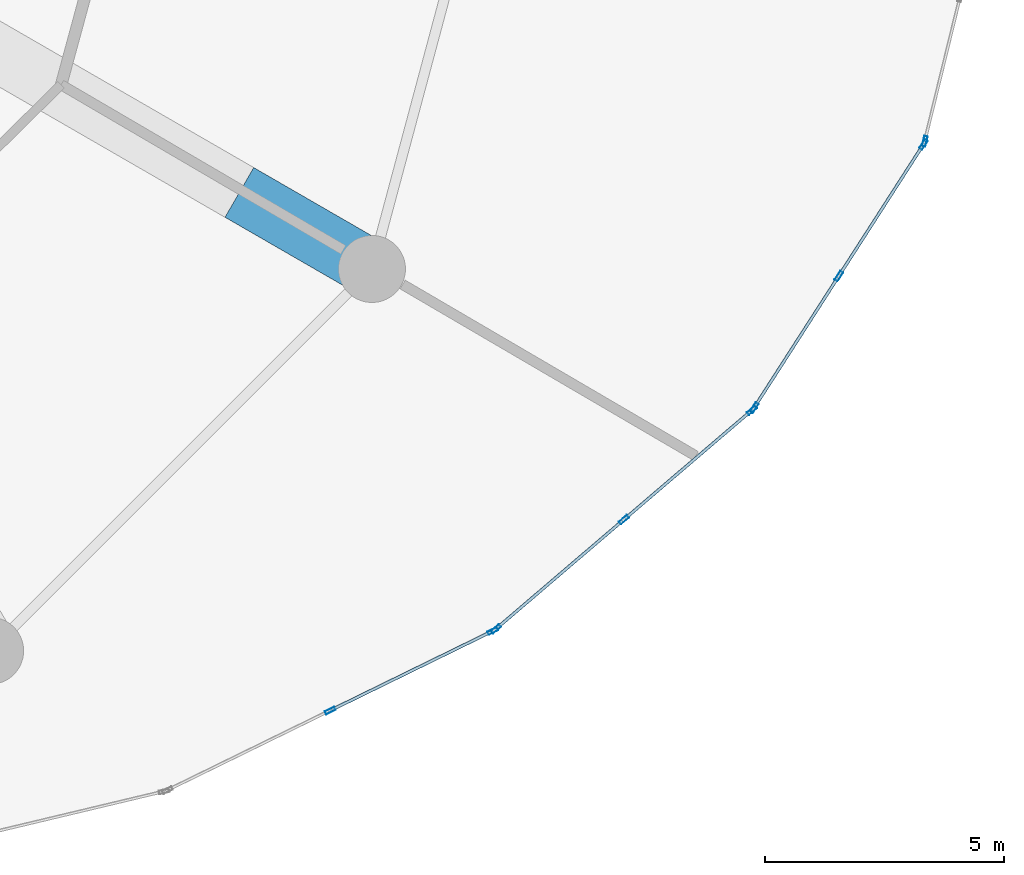
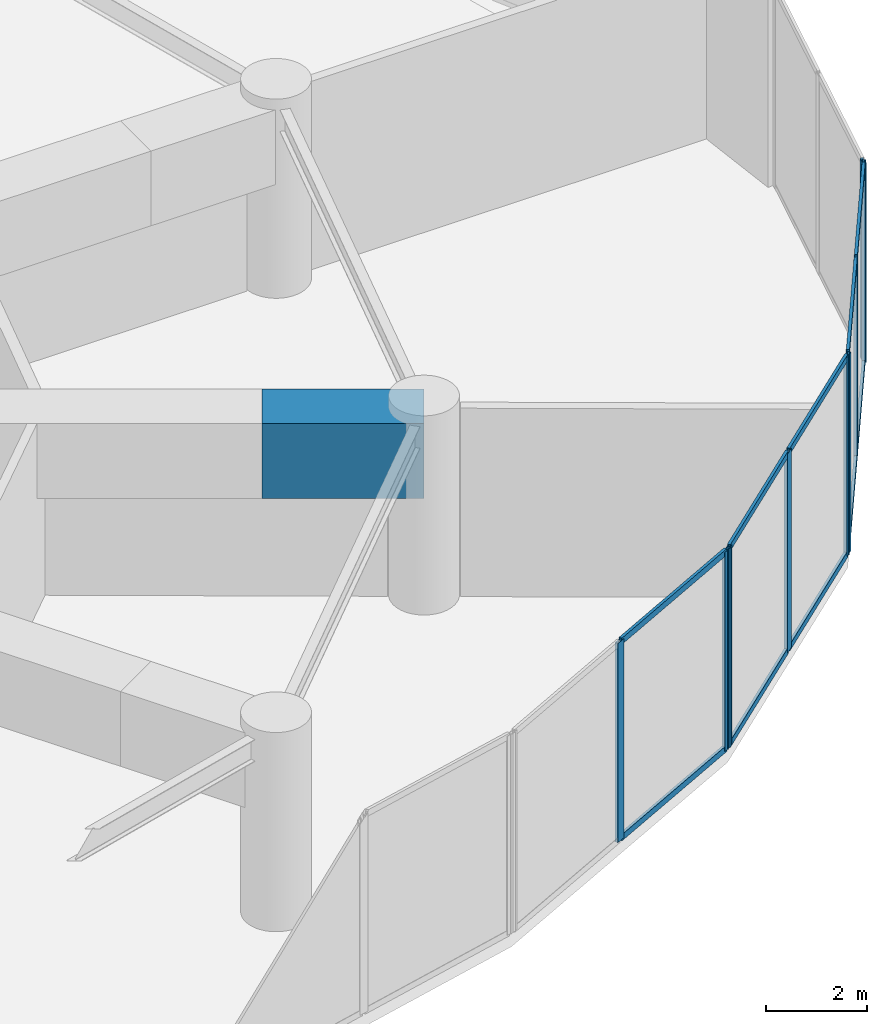
# One storey, part 11 of 27: 19 members, 1 beam, 4 elements without a shape of their own.
"""IFC4 building model written with IfcOpenShell, lengths in metres."""

from ifc_helpers import new_model, si_unit, direction, frame, origin, origin_2d, place, context, subcontext, project, spatial, rectangle, hollow_rectangle, extrude, source, transform, mapped, material, layer, layer_set, material_profile, profile_set, type_object, element, aggregate, save


model = new_model("IFC4")

# Units and contexts
model_context = context("Model", 3, precision=1e-05, world=origin(), true_north=direction((0.0, 1.0)))
body_context = subcontext(model_context, "Body", "Model", "MODEL_VIEW")
ifc_project = project(units=[si_unit("LENGTHUNIT", "METRE"), si_unit("AREAUNIT", "SQUARE_METRE"), si_unit("VOLUMEUNIT", "CUBIC_METRE"), si_unit("PLANEANGLEUNIT", "RADIAN"), si_unit("MASSUNIT", "GRAM", prefix="KILO")], contexts=[model_context])

# Site, building, storey
site_placement = place(None, origin())
site = spatial("IfcSite", under=ifc_project, at=site_placement, CompositionType="ELEMENT")
building_placement = place(site_placement, origin())
building = spatial("IfcBuilding", under=site, at=building_placement, Name="Solvirekh Grand Hotel", CompositionType="ELEMENT")
storey_placement = place(building_placement, frame((0.0, 0.0, 23.60009765625)))
storey = spatial("IfcBuildingStorey", under=building, at=storey_placement, Name="L04", CompositionType="ELEMENT", Elevation=23.60009765625)

# Beam
ifc_material_1 = material(Name="Concrete C60/75", Category="concrete")
ifc_material_profile_1 = material_profile(ifc_material_1, rectangle(XDim=1.199951171875, YDim=1.800048828125, at=origin_2d()), Name="RC GIRDER 1200X1800")
ifc_profile_set_1 = profile_set([ifc_material_profile_1], Name="Concrete C60/75")
beam_type = type_object("IfcBeamType", Name="TransferGirder_RC1800", PredefinedType="USERDEFINED", material=ifc_profile_set_1)
beam_placement = place(storey_placement, frame((16.10791015625, -9.300048828125, 3.639892578125), z_axis=(0.866022944154, -0.50000426018, 0.0), x_axis=(0.50000426018, 0.866022944154, 0.0)))
element("IfcBeam", 1, at=beam_placement, inside=storey, type_object=beam_type, Name="L04 outer radial transfer girder 12B", ObjectType="TRANSFER GIRDER", PredefinedType="USERDEFINED", context=body_context, shape_type="SweptSolid", body=[
    extrude(rectangle(XDim=1.199951171875, YDim=1.800048828125, at=origin_2d()), origin(), (0.0, 0.0, 1.0), 3.19970703125),
])

# Curtain wall, members
ifc_material_2 = material(Name="Anodized Bronze Aluminium 6063-T6", Category="aluminium")
ifc_layer = layer(ifc_material_2, 0.219970703125)
ifc_layer_set = layer_set([ifc_layer], Name="Anodized Bronze Aluminium 6063-T6")
curtain_wall_type = type_object("IfcCurtainWallType", Name="CW_Sys1_PodiumBronzeUnitised", PredefinedType="NOTDEFINED", material=ifc_layer_set)
curtain_wall_1_placement = place(storey_placement, origin())
curtain_wall_1 = element("IfcCurtainWall", 2, at=curtain_wall_1_placement, inside=storey, type_object=curtain_wall_type, Name="L04 unitised bronze-glass curtain wall CW-L04-C23", PredefinedType="NOTDEFINED")
ifc_material_profile_2 = material_profile(ifc_material_2, hollow_rectangle(XDim=0.06494140625, YDim=0.14990234375, WallThickness=0.0048828125, at=origin_2d()), Name="ALU RHS 150X65X5")
ifc_profile_set_2 = profile_set([ifc_material_profile_2], Name="Anodized Bronze Aluminium 6063-T6")
member_type_1 = type_object("IfcMemberType", Name="CWTransom_Sys1", PredefinedType="USERDEFINED", material=ifc_profile_set_2)
shared_shape_1 = source(origin(), body_context, "Body", "SweptSolid", [
    extrude(hollow_rectangle(XDim=0.06494140625, YDim=0.14990234375, WallThickness=0.0048828125, at=origin_2d()), origin(), (0.0, 0.0, 1.0), 3.193603515625),
])
member_1_placement = place(storey_placement, frame((28.65576171875, -11.016845703125, 0.032470703125), z_axis=(0.541024167028, 0.841007045566, 0.0), x_axis=(-0.841007045566, 0.541024167028, 0.0)))
member_1 = element("IfcMember", 3, at=member_1_placement, type_object=member_type_1, Name="U01 transom 2.1", ObjectType="TRANSOM", PredefinedType="USERDEFINED", context=body_context, shape_type="MappedRepresentation", body=[
    mapped(shared_shape_1, transform((0.0, 0.0, 0.0), x_axis=(1.0, 0.0, 0.0), y_axis=(0.0, 1.0, 0.0), z_axis=(0.0, 0.0, 1.0), scale=1.0)),
])
member_2_placement = place(storey_placement, frame((28.65576171875, -11.016845703125, 4.767333984375), z_axis=(0.541024167028, 0.841007045566, 0.0), x_axis=(-0.841007045566, 0.541024167028, 0.0)))
member_2 = element("IfcMember", 4, at=member_2_placement, type_object=member_type_1, Name="U01 transom 2.2", ObjectType="TRANSOM", PredefinedType="USERDEFINED", context=body_context, shape_type="MappedRepresentation", body=[
    mapped(shared_shape_1, transform((0.0, 0.0, 0.0), x_axis=(1.0, 0.0, 0.0), y_axis=(0.0, 1.0, 0.0), z_axis=(0.0, 0.0, 1.0), scale=1.0)),
])

curtain_wall_2_placement = place(storey_placement, origin())
curtain_wall_2 = element("IfcCurtainWall", 5, at=curtain_wall_2_placement, inside=storey, type_object=curtain_wall_type, Name="L04 unitised bronze-glass curtain wall CW-L04-C22", PredefinedType="NOTDEFINED")
shared_shape_2 = source(origin(), body_context, "Body", "SweptSolid", [
    extrude(hollow_rectangle(XDim=0.06494140625, YDim=0.14990234375, WallThickness=0.0048828125, at=origin_2d()), origin(), (0.0, 0.0, 1.0), 3.443115234375),
])
member_3_placement = place(storey_placement, frame((21.4970703125, -18.399169921875, 0.032470703125), z_axis=(0.760346684447, 0.649517451229, 0.0), x_axis=(-0.649517451229, 0.760346684447, 0.0)))
member_3 = element("IfcMember", 6, at=member_3_placement, type_object=member_type_1, Name="U01 transom 1.1", ObjectType="TRANSOM", PredefinedType="USERDEFINED", context=body_context, shape_type="MappedRepresentation", body=[
    mapped(shared_shape_2, transform((0.0, 0.0, 0.0), x_axis=(1.0, 0.0, 0.0), y_axis=(0.0, 1.0, 0.0), z_axis=(0.0, 0.0, 1.0), scale=1.0)),
])
member_4_placement = place(storey_placement, frame((21.4970703125, -18.399169921875, 4.767333984375), z_axis=(0.760346684447, 0.649517451229, 0.0), x_axis=(-0.649517451229, 0.760346684447, 0.0)))
member_4 = element("IfcMember", 7, at=member_4_placement, type_object=member_type_1, Name="U01 transom 1.2", ObjectType="TRANSOM", PredefinedType="USERDEFINED", context=body_context, shape_type="MappedRepresentation", body=[
    mapped(shared_shape_2, transform((0.0, 0.0, 0.0), x_axis=(1.0, 0.0, 0.0), y_axis=(0.0, 1.0, 0.0), z_axis=(0.0, 0.0, 1.0), scale=1.0)),
])
member_5_placement = place(storey_placement, frame((24.172119140625, -16.1142578125, 0.032470703125), z_axis=(0.760311666431, 0.649558442243, 0.0), x_axis=(-0.649558442243, 0.760311666431, 0.0)))
member_5 = element("IfcMember", 8, at=member_5_placement, type_object=member_type_1, Name="U01 transom 2.1", ObjectType="TRANSOM", PredefinedType="USERDEFINED", context=body_context, shape_type="MappedRepresentation", body=[
    mapped(shared_shape_2, transform((0.0, 0.0, 0.0), x_axis=(1.0, 0.0, 0.0), y_axis=(0.0, 1.0, 0.0), z_axis=(0.0, 0.0, 1.0), scale=1.0)),
])
member_6_placement = place(storey_placement, frame((24.172119140625, -16.1142578125, 4.767333984375), z_axis=(0.760311666431, 0.649558442243, 0.0), x_axis=(-0.649558442243, 0.760311666431, 0.0)))
member_6 = element("IfcMember", 9, at=member_6_placement, type_object=member_type_1, Name="U01 transom 2.2", ObjectType="TRANSOM", PredefinedType="USERDEFINED", context=body_context, shape_type="MappedRepresentation", body=[
    mapped(shared_shape_2, transform((0.0, 0.0, 0.0), x_axis=(1.0, 0.0, 0.0), y_axis=(0.0, 1.0, 0.0), z_axis=(0.0, 0.0, 1.0), scale=1.0)),
])

# Member
shared_shape_3 = source(origin(), body_context, "Body", "SweptSolid", [
    extrude(hollow_rectangle(XDim=0.06494140625, YDim=0.14990234375, WallThickness=0.0048828125, at=origin_2d()), origin(), (0.0, 0.0, 1.0), 3.193359375),
])
member_7_placement = place(storey_placement, frame((26.8876953125, -13.765869140625, 0.032470703125), z_axis=(0.540970092382, 0.841041829607, 0.0), x_axis=(-0.841041829607, 0.540970092382, 0.0)))
member_7 = element("IfcMember", 10, at=member_7_placement, type_object=member_type_1, Name="U01 transom 1.1", ObjectType="TRANSOM", PredefinedType="USERDEFINED", context=body_context, shape_type="MappedRepresentation", body=[
    mapped(shared_shape_3, transform((0.0, 0.0, 0.0), x_axis=(1.0, 0.0, 0.0), y_axis=(0.0, 1.0, 0.0), z_axis=(0.0, 0.0, 1.0), scale=1.0)),
])

member_8_placement = place(storey_placement, frame((26.8876953125, -13.765869140625, 4.767333984375), z_axis=(0.540970092382, 0.841041829607, 0.0), x_axis=(-0.841041829607, 0.540970092382, 0.0)))
member_8 = element("IfcMember", 11, at=member_8_placement, type_object=member_type_1, Name="U01 transom 1.2", ObjectType="TRANSOM", PredefinedType="USERDEFINED", context=body_context, shape_type="MappedRepresentation", body=[
    mapped(shared_shape_3, transform((0.0, 0.0, 0.0), x_axis=(1.0, 0.0, 0.0), y_axis=(0.0, 1.0, 0.0), z_axis=(0.0, 0.0, 1.0), scale=1.0)),
])

# Curtain wall, members
curtain_wall_3_placement = place(storey_placement, origin())
curtain_wall_3 = element("IfcCurtainWall", 12, at=curtain_wall_3_placement, inside=storey, type_object=curtain_wall_type, Name="L04 unitised bronze-glass curtain wall CW-L04-C21", PredefinedType="NOTDEFINED")
ifc_material_profile_3 = material_profile(ifc_material_2, hollow_rectangle(XDim=0.074951171875, YDim=0.219970703125, WallThickness=0.006103515625, at=origin_2d()), Name="ALU RHS 220X75X6")
ifc_profile_set_3 = profile_set([ifc_material_profile_3], Name="Anodized Bronze Aluminium 6063-T6")
member_type_2 = type_object("IfcMemberType", Name="CWMullion_Sys1", PredefinedType="MULLION", material=ifc_profile_set_3)
shared_shape_4 = source(origin(), body_context, "Body", "SweptSolid", [
    extrude(hollow_rectangle(XDim=0.074951171875, YDim=0.219970703125, WallThickness=0.006103515625, at=origin_2d()), origin(), (0.0, 0.0, 1.0), 4.7998046875),
])
member_9_placement = place(storey_placement, frame((18.006103515625, -20.12841796875, 0.0), z_axis=(0.0, 0.0, 1.0), x_axis=(-0.439559598928, 0.898213426192, 0.0)))
member_9 = element("IfcMember", 13, at=member_9_placement, type_object=member_type_2, Name="U01 mullion 2", PredefinedType="MULLION", context=body_context, shape_type="MappedRepresentation", body=[
    mapped(shared_shape_4, transform((0.0, 0.0, 0.0), x_axis=(1.0, 0.0, 0.0), y_axis=(0.0, 1.0, 0.0), z_axis=(0.0, 0.0, 1.0), scale=1.0)),
])
member_10_placement = place(storey_placement, frame((21.40625, -18.464599609375, 0.0), z_axis=(0.0, 0.0, 1.0), x_axis=(-0.439559598928, 0.898213426192, 0.0)))
member_10 = element("IfcMember", 14, at=member_10_placement, type_object=member_type_2, Name="U01 mullion 3", PredefinedType="MULLION", context=body_context, shape_type="MappedRepresentation", body=[
    mapped(shared_shape_4, transform((0.0, 0.0, 0.0), x_axis=(1.0, 0.0, 0.0), y_axis=(0.0, 1.0, 0.0), z_axis=(0.0, 0.0, 1.0), scale=1.0)),
])

# Member
member_11_placement = place(storey_placement, frame((21.468505859375, -18.423583984375, 0.0), z_axis=(0.0, 0.0, 1.0), x_axis=(-0.649528194203, 0.760337507253, 0.0)))
member_11 = element("IfcMember", 15, at=member_11_placement, type_object=member_type_2, Name="U01 mullion 1", PredefinedType="MULLION", context=body_context, shape_type="MappedRepresentation", body=[
    mapped(shared_shape_4, transform((0.0, 0.0, 0.0), x_axis=(1.0, 0.0, 0.0), y_axis=(0.0, 1.0, 0.0), z_axis=(0.0, 0.0, 1.0), scale=1.0)),
])

member_12_placement = place(storey_placement, frame((24.1435546875, -16.138427734375, 0.0), z_axis=(0.0, 0.0, 1.0), x_axis=(-0.649528194203, 0.760337507253, 0.0)))
member_12 = element("IfcMember", 16, at=member_12_placement, type_object=member_type_2, Name="U01 mullion 2", PredefinedType="MULLION", context=body_context, shape_type="MappedRepresentation", body=[
    mapped(shared_shape_4, transform((0.0, 0.0, 0.0), x_axis=(1.0, 0.0, 0.0), y_axis=(0.0, 1.0, 0.0), z_axis=(0.0, 0.0, 1.0), scale=1.0)),
])

member_13_placement = place(storey_placement, frame((26.818603515625, -13.853271484375, 0.0), z_axis=(0.0, 0.0, 1.0), x_axis=(-0.649528194203, 0.760337507253, 0.0)))
member_13 = element("IfcMember", 17, at=member_13_placement, type_object=member_type_2, Name="U01 mullion 3", PredefinedType="MULLION", context=body_context, shape_type="MappedRepresentation", body=[
    mapped(shared_shape_4, transform((0.0, 0.0, 0.0), x_axis=(1.0, 0.0, 0.0), y_axis=(0.0, 1.0, 0.0), z_axis=(0.0, 0.0, 1.0), scale=1.0)),
])

aggregate(curtain_wall_2, [member_11, member_12, member_13, member_3, member_4, member_5, member_6])

member_14_placement = place(storey_placement, frame((26.8671875, -13.79736328125, 0.0), z_axis=(0.0, 0.0, 1.0), x_axis=(-0.8410359437, 0.540979243044, 0.0)))
member_14 = element("IfcMember", 18, at=member_14_placement, type_object=member_type_2, Name="U01 mullion 1", PredefinedType="MULLION", context=body_context, shape_type="MappedRepresentation", body=[
    mapped(shared_shape_4, transform((0.0, 0.0, 0.0), x_axis=(1.0, 0.0, 0.0), y_axis=(0.0, 1.0, 0.0), z_axis=(0.0, 0.0, 1.0), scale=1.0)),
])

member_15_placement = place(storey_placement, frame((28.635498046875, -11.048583984375, 0.0), z_axis=(0.0, 0.0, 1.0), x_axis=(-0.8410359437, 0.540979243044, 0.0)))
member_15 = element("IfcMember", 19, at=member_15_placement, type_object=member_type_2, Name="U01 mullion 2", PredefinedType="MULLION", context=body_context, shape_type="MappedRepresentation", body=[
    mapped(shared_shape_4, transform((0.0, 0.0, 0.0), x_axis=(1.0, 0.0, 0.0), y_axis=(0.0, 1.0, 0.0), z_axis=(0.0, 0.0, 1.0), scale=1.0)),
])

member_16_placement = place(storey_placement, frame((30.40380859375, -8.299560546875, 0.0), z_axis=(0.0, 0.0, 1.0), x_axis=(-0.8410359437, 0.540979243044, 0.0)))
member_16 = element("IfcMember", 20, at=member_16_placement, type_object=member_type_2, Name="U01 mullion 3", PredefinedType="MULLION", context=body_context, shape_type="MappedRepresentation", body=[
    mapped(shared_shape_4, transform((0.0, 0.0, 0.0), x_axis=(1.0, 0.0, 0.0), y_axis=(0.0, 1.0, 0.0), z_axis=(0.0, 0.0, 1.0), scale=1.0)),
])

aggregate(curtain_wall_1, [member_14, member_15, member_16, member_7, member_8, member_1, member_2])

# Curtain wall, member
curtain_wall_4_placement = place(storey_placement, origin())
curtain_wall_4 = element("IfcCurtainWall", 21, at=curtain_wall_4_placement, inside=storey, type_object=curtain_wall_type, Name="L04 unitised bronze-glass curtain wall CW-L04-C24", PredefinedType="NOTDEFINED")
member_17_placement = place(storey_placement, frame((30.432861328125, -8.231689453125, 0.0), z_axis=(0.0, 0.0, 1.0), x_axis=(-0.971150596168, 0.238467019865, 0.0)))
member_17 = element("IfcMember", 22, at=member_17_placement, type_object=member_type_2, Name="U01 mullion 1", PredefinedType="MULLION", context=body_context, shape_type="MappedRepresentation", body=[
    mapped(shared_shape_4, transform((0.0, 0.0, 0.0), x_axis=(1.0, 0.0, 0.0), y_axis=(0.0, 1.0, 0.0), z_axis=(0.0, 0.0, 1.0), scale=1.0)),
])
aggregate(curtain_wall_4, [member_17])

# Member
shared_shape_5 = source(origin(), body_context, "Body", "SweptSolid", [
    extrude(hollow_rectangle(XDim=0.06494140625, YDim=0.14990234375, WallThickness=0.0048828125, at=origin_2d()), origin(), (0.0, 0.0, 1.0), 3.71044921875),
])
member_18_placement = place(storey_placement, frame((18.039794921875, -20.112060546875, 0.032470703125), z_axis=(0.898197928886, 0.43959126532, 0.0), x_axis=(-0.43959126532, 0.898197928886, 0.0)))
member_18 = element("IfcMember", 23, at=member_18_placement, type_object=member_type_1, Name="U01 transom 2.1", ObjectType="TRANSOM", PredefinedType="USERDEFINED", context=body_context, shape_type="MappedRepresentation", body=[
    mapped(shared_shape_5, transform((0.0, 0.0, 0.0), x_axis=(1.0, 0.0, 0.0), y_axis=(0.0, 1.0, 0.0), z_axis=(0.0, 0.0, 1.0), scale=1.0)),
])

member_19_placement = place(storey_placement, frame((18.039794921875, -20.112060546875, 4.767333984375), z_axis=(0.898197928886, 0.43959126532, 0.0), x_axis=(-0.43959126532, 0.898197928886, 0.0)))
member_19 = element("IfcMember", 24, at=member_19_placement, type_object=member_type_1, Name="U01 transom 2.2", ObjectType="TRANSOM", PredefinedType="USERDEFINED", context=body_context, shape_type="MappedRepresentation", body=[
    mapped(shared_shape_5, transform((0.0, 0.0, 0.0), x_axis=(1.0, 0.0, 0.0), y_axis=(0.0, 1.0, 0.0), z_axis=(0.0, 0.0, 1.0), scale=1.0)),
])

aggregate(curtain_wall_3, [member_9, member_10, member_18, member_19])

save(model, "model.ifc")
